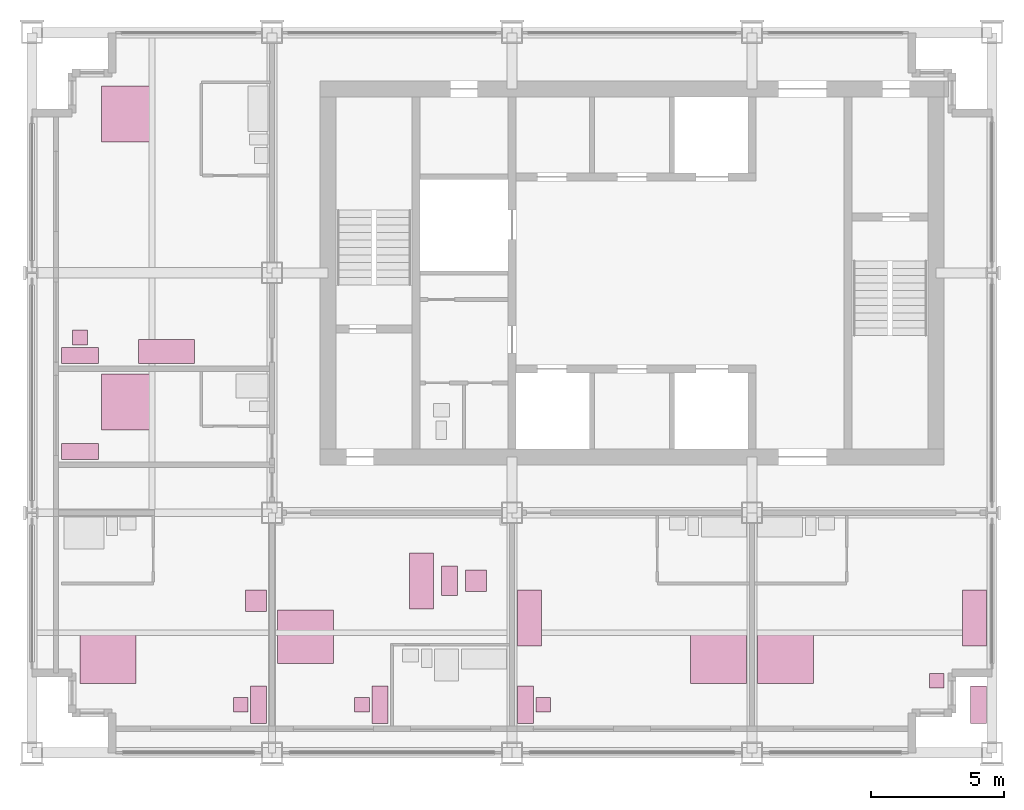
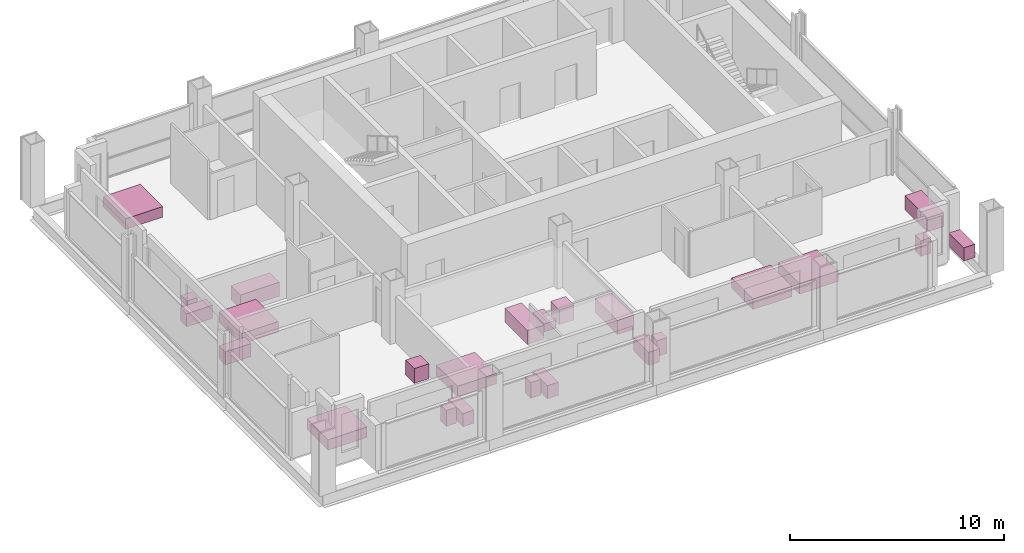
# One storey, part 11 of 11: 24 furniture elements.
"""IFC4 building model written with IfcOpenShell, lengths in metres."""

from ifc_helpers import new_model, si_unit, direction, frame, origin, origin_2d, place, context, subcontext, project, spatial, rectangle, extrude, element, save


model = new_model("IFC4")

# Units and contexts
model_context = context("Model", 3, precision=1e-05, world=origin(), true_north=direction((0.0, 1.0)))
body_context = subcontext(model_context, "Body", "Model", "MODEL_VIEW")
ifc_project = project(units=[si_unit("LENGTHUNIT", "METRE"), si_unit("AREAUNIT", "SQUARE_METRE"), si_unit("VOLUMEUNIT", "CUBIC_METRE"), si_unit("PLANEANGLEUNIT", "RADIAN"), si_unit("MASSUNIT", "GRAM", prefix="KILO")], contexts=[model_context])

# Site, building, storey
site_placement = place(None, origin())
site = spatial("IfcSite", under=ifc_project, at=site_placement, CompositionType="ELEMENT")
building_placement = place(site_placement, origin())
building = spatial("IfcBuilding", under=site, at=building_placement, Name="Loomwork Tower", CompositionType="ELEMENT")
storey_placement = place(building_placement, frame((0.0, 0.0, 244.60009765625)))
storey = spatial("IfcBuildingStorey", under=building, at=storey_placement, Name="L67", CompositionType="ELEMENT", Elevation=244.60009765625)

# Furniture
furniture_1_placement = place(storey_placement, frame((2.85009765625, 3.60009765625, -0.000244140625), z_axis=(0.0, 0.0, 1.0), x_axis=(1.0, 0.0, 0.0)))
element("IfcFurniture", 1, at=furniture_1_placement, inside=storey, Name="King bed L67", PredefinedType="BED", context=body_context, shape_type="SweptSolid", body=[
    extrude(rectangle(XDim=2.10009765625, YDim=2.0, at=origin_2d()), origin(), (0.0, 0.0, 1.0), 0.60009765625),
])
furniture_2_placement = place(storey_placement, frame((8.5, 1.800048828125, 0.0), z_axis=(0.0, 0.0, 1.0), x_axis=(1.0, 0.0, 0.0)))
element("IfcFurniture", 2, at=furniture_2_placement, inside=storey, Name="Writing desk L67", PredefinedType="DESK", context=body_context, shape_type="SweptSolid", body=[
    extrude(rectangle(XDim=0.60009765625, YDim=1.39990234375, at=origin_2d()), origin(), (0.0, 0.0, 1.0), 0.75),
])
furniture_3_placement = place(storey_placement, frame((7.824951171875, 1.800048828125, 0.0), z_axis=(0.0, 0.0, 1.0), x_axis=(1.0, 0.0, 0.0)))
element("IfcFurniture", 3, at=furniture_3_placement, inside=storey, Name="Desk chair L67", PredefinedType="CHAIR", context=body_context, shape_type="SweptSolid", body=[
    extrude(rectangle(XDim=0.550048828125, YDim=0.550048828125, at=origin_2d()), origin(), (0.0, 0.0, 1.0), 0.89990234375),
])
furniture_4_placement = place(storey_placement, frame((8.39990234375, 5.699951171875, -0.000244140625), z_axis=(0.0, 0.0, 1.0), x_axis=(1.0, 0.0, 0.0)))
element("IfcFurniture", 4, at=furniture_4_placement, inside=storey, Name="Lounge armchair L67", PredefinedType="CHAIR", context=body_context, shape_type="SweptSolid", body=[
    extrude(rectangle(XDim=0.800048828125, YDim=0.800048828125, at=origin_2d()), origin(), (0.0, 0.0, 1.0), 0.85009765625),
])
furniture_5_placement = place(storey_placement, frame((10.25, 4.35009765625, -0.000244140625), z_axis=(0.0, 0.0, 1.0), x_axis=(1.0, 0.0, 0.0)))
element("IfcFurniture", 5, at=furniture_5_placement, inside=storey, Name="King bed L67", PredefinedType="BED", context=body_context, shape_type="SweptSolid", body=[
    extrude(rectangle(XDim=2.10009765625, YDim=2.0, at=origin_2d()), origin(), (0.0, 0.0, 1.0), 0.60009765625),
])
furniture_6_placement = place(storey_placement, frame((13.050048828125, 1.800048828125, 0.0), z_axis=(0.0, 0.0, 1.0), x_axis=(1.0, 0.0, 0.0)))
element("IfcFurniture", 6, at=furniture_6_placement, inside=storey, Name="Writing desk L67", PredefinedType="DESK", context=body_context, shape_type="SweptSolid", body=[
    extrude(rectangle(XDim=0.60009765625, YDim=1.39990234375, at=origin_2d()), origin(), (0.0, 0.0, 1.0), 0.75),
])
furniture_7_placement = place(storey_placement, frame((12.375, 1.800048828125, 0.0), z_axis=(0.0, 0.0, 1.0), x_axis=(1.0, 0.0, 0.0)))
element("IfcFurniture", 7, at=furniture_7_placement, inside=storey, Name="Desk chair L67", PredefinedType="CHAIR", context=body_context, shape_type="SweptSolid", body=[
    extrude(rectangle(XDim=0.550048828125, YDim=0.550048828125, at=origin_2d()), origin(), (0.0, 0.0, 1.0), 0.89990234375),
])
furniture_8_placement = place(storey_placement, frame((14.60009765625, 6.449951171875, 0.0), z_axis=(0.0, 0.0, 1.0), x_axis=(1.0, 0.0, 0.0)))
element("IfcFurniture", 8, at=furniture_8_placement, inside=storey, Name="Sofa L67", PredefinedType="SOFA", context=body_context, shape_type="SweptSolid", body=[
    extrude(rectangle(XDim=0.89990234375, YDim=2.10009765625, at=origin_2d()), origin(), (0.0, 0.0, 1.0), 0.800048828125),
])
furniture_9_placement = place(storey_placement, frame((15.64990234375, 6.449951171875, 0.0), z_axis=(0.0, 0.0, 1.0), x_axis=(1.0, 0.0, 0.0)))
element("IfcFurniture", 9, at=furniture_9_placement, inside=storey, Name="Coffee table L67", PredefinedType="TABLE", context=body_context, shape_type="SweptSolid", body=[
    extrude(rectangle(XDim=0.60009765625, YDim=1.10009765625, at=origin_2d()), origin(), (0.0, 0.0, 1.0), 0.449951171875),
])
furniture_10_placement = place(storey_placement, frame((16.64990234375, 6.449951171875, -0.000244140625), z_axis=(0.0, 0.0, 1.0), x_axis=(1.0, 0.0, 0.0)))
element("IfcFurniture", 10, at=furniture_10_placement, inside=storey, Name="Lounge armchair L67", PredefinedType="CHAIR", context=body_context, shape_type="SweptSolid", body=[
    extrude(rectangle(XDim=0.800048828125, YDim=0.800048828125, at=origin_2d()), origin(), (0.0, 0.0, 1.0), 0.85009765625),
])
furniture_11_placement = place(storey_placement, frame((25.75, 3.60009765625, -0.000244140625), z_axis=(0.0, 0.0, 1.0), x_axis=(1.0, 0.0, 0.0)))
element("IfcFurniture", 11, at=furniture_11_placement, inside=storey, Name="King bed L67", PredefinedType="BED", context=body_context, shape_type="SweptSolid", body=[
    extrude(rectangle(XDim=2.10009765625, YDim=2.0, at=origin_2d()), origin(), (0.0, 0.0, 1.0), 0.60009765625),
])
furniture_12_placement = place(storey_placement, frame((18.5, 1.800048828125, 0.0), z_axis=(0.0, 0.0, 1.0), x_axis=(1.0, 0.0, 0.0)))
element("IfcFurniture", 12, at=furniture_12_placement, inside=storey, Name="Writing desk L67", PredefinedType="DESK", context=body_context, shape_type="SweptSolid", body=[
    extrude(rectangle(XDim=0.60009765625, YDim=1.39990234375, at=origin_2d()), origin(), (0.0, 0.0, 1.0), 0.75),
])
furniture_13_placement = place(storey_placement, frame((19.175048828125, 1.800048828125, 0.0), z_axis=(0.0, 0.0, 1.0), x_axis=(1.0, 0.0, 0.0)))
element("IfcFurniture", 13, at=furniture_13_placement, inside=storey, Name="Desk chair L67", PredefinedType="CHAIR", context=body_context, shape_type="SweptSolid", body=[
    extrude(rectangle(XDim=0.550048828125, YDim=0.550048828125, at=origin_2d()), origin(), (0.0, 0.0, 1.0), 0.89990234375),
])
furniture_14_placement = place(storey_placement, frame((18.64990234375, 5.050048828125, 0.0), z_axis=(0.0, 0.0, 1.0), x_axis=(1.0, 0.0, 0.0)))
element("IfcFurniture", 14, at=furniture_14_placement, inside=storey, Name="Sofa L67", PredefinedType="SOFA", context=body_context, shape_type="SweptSolid", body=[
    extrude(rectangle(XDim=0.89990234375, YDim=2.10009765625, at=origin_2d()), origin(), (0.0, 0.0, 1.0), 0.800048828125),
])
furniture_15_placement = place(storey_placement, frame((28.25, 3.60009765625, -0.000244140625), z_axis=(0.0, 0.0, 1.0), x_axis=(1.0, 0.0, 0.0)))
element("IfcFurniture", 15, at=furniture_15_placement, inside=storey, Name="King bed L67", PredefinedType="BED", context=body_context, shape_type="SweptSolid", body=[
    extrude(rectangle(XDim=2.10009765625, YDim=2.0, at=origin_2d()), origin(), (0.0, 0.0, 1.0), 0.60009765625),
])
furniture_16_placement = place(storey_placement, frame((35.5, 1.800048828125, 0.0), z_axis=(0.0, 0.0, 1.0), x_axis=(1.0, 0.0, 0.0)))
element("IfcFurniture", 16, at=furniture_16_placement, inside=storey, Name="Writing desk L67", PredefinedType="DESK", context=body_context, shape_type="SweptSolid", body=[
    extrude(rectangle(XDim=0.60009765625, YDim=1.39990234375, at=origin_2d()), origin(), (0.0, 0.0, 1.0), 0.75),
])
furniture_17_placement = place(storey_placement, frame((33.925048828125, 2.699951171875, 0.0), z_axis=(0.0, 0.0, 1.0), x_axis=(1.0, 0.0, 0.0)))
element("IfcFurniture", 17, at=furniture_17_placement, inside=storey, Name="Desk chair L67", PredefinedType="CHAIR", context=body_context, shape_type="SweptSolid", body=[
    extrude(rectangle(XDim=0.550048828125, YDim=0.550048828125, at=origin_2d()), origin(), (0.0, 0.0, 1.0), 0.89990234375),
])
furniture_18_placement = place(storey_placement, frame((35.35009765625, 5.050048828125, 0.0), z_axis=(0.0, 0.0, 1.0), x_axis=(1.0, 0.0, 0.0)))
element("IfcFurniture", 18, at=furniture_18_placement, inside=storey, Name="Sofa L67", PredefinedType="SOFA", context=body_context, shape_type="SweptSolid", body=[
    extrude(rectangle(XDim=0.89990234375, YDim=2.10009765625, at=origin_2d()), origin(), (0.0, 0.0, 1.0), 0.800048828125),
])
furniture_19_placement = place(storey_placement, frame((3.60009765625, 13.14990234375, -0.000244140625), z_axis=(0.0, 0.0, 1.0), x_axis=(1.0, 0.0, 0.0)))
element("IfcFurniture", 19, at=furniture_19_placement, inside=storey, Name="King bed L67", PredefinedType="BED", context=body_context, shape_type="SweptSolid", body=[
    extrude(rectangle(XDim=2.0, YDim=2.10009765625, at=origin_2d()), origin(), (0.0, 0.0, 1.0), 0.60009765625),
])
furniture_20_placement = place(storey_placement, frame((1.800048828125, 11.300048828125, 0.0), z_axis=(0.0, 0.0, 1.0), x_axis=(1.0, 0.0, 0.0)))
element("IfcFurniture", 20, at=furniture_20_placement, inside=storey, Name="Writing desk L67", PredefinedType="DESK", context=body_context, shape_type="SweptSolid", body=[
    extrude(rectangle(XDim=1.39990234375, YDim=0.60009765625, at=origin_2d()), origin(), (0.0, 0.0, 1.0), 0.75),
])
furniture_21_placement = place(storey_placement, frame((3.60009765625, 23.949951171875, -0.000244140625), z_axis=(0.0, 0.0, 1.0), x_axis=(1.0, 0.0, 0.0)))
element("IfcFurniture", 21, at=furniture_21_placement, inside=storey, Name="King bed L67", PredefinedType="BED", context=body_context, shape_type="SweptSolid", body=[
    extrude(rectangle(XDim=2.0, YDim=2.10009765625, at=origin_2d()), origin(), (0.0, 0.0, 1.0), 0.60009765625),
])
furniture_22_placement = place(storey_placement, frame((1.800048828125, 14.89990234375, 0.0), z_axis=(0.0, 0.0, 1.0), x_axis=(1.0, 0.0, 0.0)))
element("IfcFurniture", 22, at=furniture_22_placement, inside=storey, Name="Writing desk L67", PredefinedType="DESK", context=body_context, shape_type="SweptSolid", body=[
    extrude(rectangle(XDim=1.39990234375, YDim=0.60009765625, at=origin_2d()), origin(), (0.0, 0.0, 1.0), 0.75),
])
furniture_23_placement = place(storey_placement, frame((1.800048828125, 15.574951171875, 0.0), z_axis=(0.0, 0.0, 1.0), x_axis=(1.0, 0.0, 0.0)))
element("IfcFurniture", 23, at=furniture_23_placement, inside=storey, Name="Desk chair L67", PredefinedType="CHAIR", context=body_context, shape_type="SweptSolid", body=[
    extrude(rectangle(XDim=0.550048828125, YDim=0.550048828125, at=origin_2d()), origin(), (0.0, 0.0, 1.0), 0.89990234375),
])
furniture_24_placement = place(storey_placement, frame((5.050048828125, 15.050048828125, 0.0), z_axis=(0.0, 0.0, 1.0), x_axis=(1.0, 0.0, 0.0)))
element("IfcFurniture", 24, at=furniture_24_placement, inside=storey, Name="Sofa L67", PredefinedType="SOFA", context=body_context, shape_type="SweptSolid", body=[
    extrude(rectangle(XDim=2.10009765625, YDim=0.89990234375, at=origin_2d()), origin(), (0.0, 0.0, 1.0), 0.800048828125),
])

save(model, "model.ifc")
